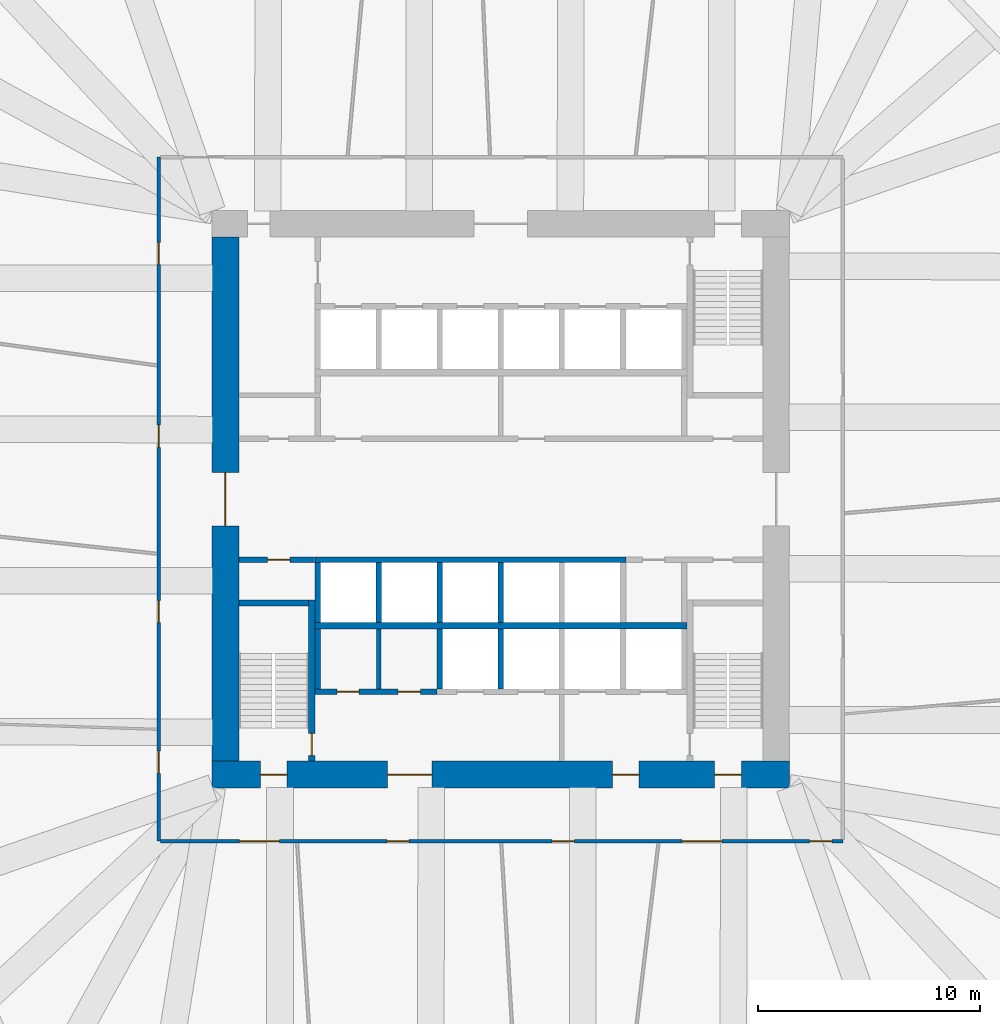
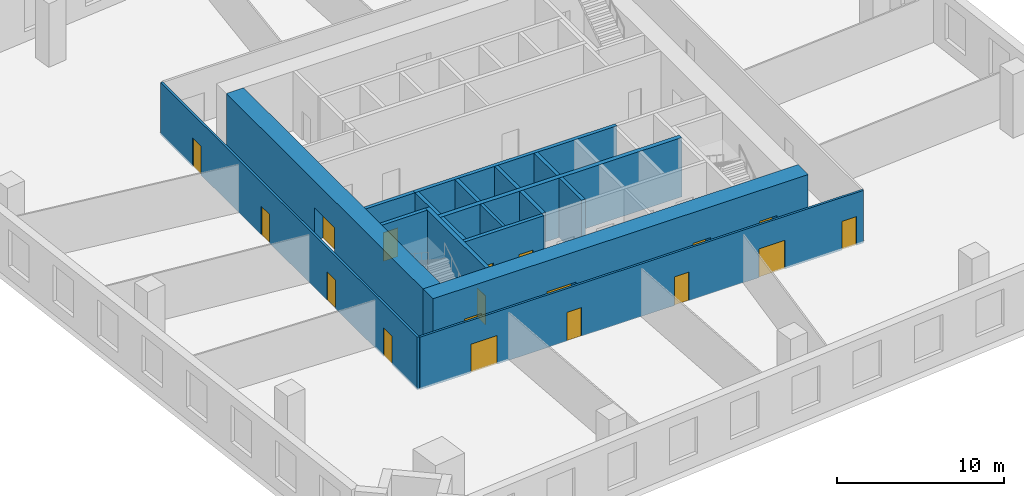
# One storey, part 4 of 10: 18 doors, 18 walls, 18 openings.
"""IFC4 building model written with IfcOpenShell, lengths in metres."""

import ifcopenshell
import ifcopenshell.guid

model = None  # the IFC model being written
_history = None  # IfcOwnerHistory: only IFC2X3 demands one
_inside = {}  # id of a spatial element -> (the spatial element, [elements in it])
_under = {}  # id of a project, library or spatial element -> (it, [spatial elements below it])
_declared = {}  # id of a project -> (the project, [libraries it declares])
_typed = {}  # id of a type object -> (the type object, [elements of that type])
_made_of = {}  # id of a material, layer set ... -> (it, [elements and type objects made of it])


def new_model(schema):
    """Start an empty IFC model of exactly this schema.

    Asked for "IFC4X3", IfcOpenShell would pick the latest addendum, in which some entities
    have other attributes; the version numbers below select the first issue.
    IFC2X3 requires an IfcOwnerHistory on every rooted entity: one is made here for all.
    """
    global model, _history
    if schema == "IFC4X3":
        model = ifcopenshell.file(schema_version=(4, 3, 0, 0))
    else:
        model = ifcopenshell.file(schema=schema)
    _inside.clear()
    _under.clear()
    _declared.clear()
    _typed.clear()
    _made_of.clear()
    _history = None
    if model.schema == "IFC2X3":
        org = make("IfcOrganization", Name="unknown")
        user = make(
            "IfcPersonAndOrganization",
            ThePerson=make("IfcPerson", FamilyName="unknown"),
            TheOrganization=org,
        )
        app = make(
            "IfcApplication",
            ApplicationDeveloper=org,
            Version="unknown",
            ApplicationFullName="unknown",
            ApplicationIdentifier="unknown",
        )
        _history = make(
            "IfcOwnerHistory",
            OwningUser=user,
            OwningApplication=app,
            ChangeAction="ADDED",
            CreationDate=0,
        )
    return model


def make(cls, **values):
    """One entity of the class cls with the attributes given. An attribute that is None is left unset."""
    return model.create_entity(
        cls, **{name: value for name, value in values.items() if value is not None}
    )


def rooted(cls, **values):
    """An entity with a GlobalId (a new one), such as an element, a storey or a relation."""
    return make(cls, GlobalId=ifcopenshell.guid.new(), OwnerHistory=_history, **values)


def si_unit(unit_type, name, prefix=None):
    """IfcSIUnit, for example si_unit("LENGTHUNIT", "METRE", prefix="MILLI")."""
    return make("IfcSIUnit", UnitType=unit_type, Prefix=prefix, Name=name)


def assignment(units):
    """IfcUnitAssignment: the units of a project."""
    return None if units is None else make("IfcUnitAssignment", Units=units)


def point(xyz):
    """IfcCartesianPoint."""
    return None if xyz is None else make("IfcCartesianPoint", Coordinates=xyz)


def direction(xyz):
    """IfcDirection."""
    return None if xyz is None else make("IfcDirection", DirectionRatios=xyz)


def frame(location, z_axis=None, x_axis=None):
    """IfcAxis2Placement3D, a coordinate frame: its origin and axes. An axis left out is left unset."""
    return make(
        "IfcAxis2Placement3D",
        Location=point(location),
        Axis=direction(z_axis),
        RefDirection=direction(x_axis),
    )


def frame_2d(location, x_axis=None):
    """IfcAxis2Placement2D, a coordinate frame in the plane: its origin and x axis."""
    return make(
        "IfcAxis2Placement2D", Location=point(location), RefDirection=direction(x_axis)
    )


def origin():
    """The frame at (0, 0, 0) with its axes left unset."""
    return frame((0.0, 0.0, 0.0))


def place(relative_to, where):
    """IfcLocalPlacement: puts the frame where relative to a parent placement (None: the world)."""
    return make(
        "IfcLocalPlacement", PlacementRelTo=relative_to, RelativePlacement=where
    )


def context(
    kind, dimensions, precision=None, world=None, true_north=None, identifier=None
):
    """IfcGeometricRepresentationContext, for example the 3D "Model" context."""
    return make(
        "IfcGeometricRepresentationContext",
        ContextIdentifier=identifier,
        ContextType=kind,
        CoordinateSpaceDimension=dimensions,
        Precision=precision,
        WorldCoordinateSystem=world,
        TrueNorth=true_north,
    )


def subcontext(parent, identifier, kind, view, scale=None):
    """IfcGeometricRepresentationSubContext, for example "Body" below "Model"."""
    return make(
        "IfcGeometricRepresentationSubContext",
        ContextIdentifier=identifier,
        ContextType=kind,
        ParentContext=parent,
        TargetScale=scale,
        TargetView=view,
    )


def project(units=None, contexts=None):
    """IfcProject with its units and contexts."""
    return rooted(
        "IfcProject",
        Name="project",
        RepresentationContexts=contexts,
        UnitsInContext=assignment(units),
    )


def spatial(cls, under=None, at=None, **own):
    """A site, building, storey or space (cls), placed at a placement, below another one or the project."""
    s = rooted(cls, ObjectPlacement=at, **own)
    if under is not None:
        _under.setdefault(under.id(), (under, []))[1].append(s)
    return s


def profile(cls, at=None, kind="AREA", **sizes):
    """A parametric profile (cls). Its sizes go by their IFC names, for example OverallWidth=200.0."""
    return make(cls, ProfileType=kind, Position=at, **sizes)


def rectangle(**sizes):
    """IfcRectangleProfileDef."""
    return profile("IfcRectangleProfileDef", **sizes)


def extrude(swept, where, along, depth):
    """IfcExtrudedAreaSolid: the profile swept, set in the frame where, extruded along a direction by depth."""
    return make(
        "IfcExtrudedAreaSolid",
        SweptArea=swept,
        Position=where,
        ExtrudedDirection=direction(along),
        Depth=depth,
    )


def shape(context_of_items, identifier, shape_type, items):
    """IfcShapeRepresentation: the items that make up one representation, for example the "Body"."""
    return make(
        "IfcShapeRepresentation",
        ContextOfItems=context_of_items,
        RepresentationIdentifier=identifier,
        RepresentationType=shape_type,
        Items=items,
    )


def material(Name=None, Category=None):
    """IfcMaterial."""
    return make("IfcMaterial", Name=Name, Category=Category)


def layer(
    of_material, thickness, ventilated=None, Name=None, Category=None, Priority=None
):
    """IfcMaterialLayer: one layer of a wall or slab, of a material (None: an air gap)."""
    return make(
        "IfcMaterialLayer",
        Material=of_material,
        LayerThickness=thickness,
        IsVentilated=ventilated,
        Name=Name,
        Category=Category,
        Priority=Priority,
    )


def layer_set(layers, Name=None):
    """IfcMaterialLayerSet."""
    return make("IfcMaterialLayerSet", MaterialLayers=layers, LayerSetName=Name)


def made_of(thing, what):
    """Note that an element or type object is made of a material, layer set ...; save() writes the relation."""
    if what is not None:
        _made_of.setdefault(what.id(), (what, []))[1].append(thing)
    return thing


def type_object(cls, material=None, **own):
    """A type object (cls), such as IfcWallType, which elements share."""
    return made_of(rooted(cls, **own), material)


def element(
    cls,
    number,
    at=None,
    inside=None,
    cuts=None,
    type_object=None,
    material=None,
    context=None,
    identifier="Body",
    shape_type=None,
    held_by="IfcProductDefinitionShape",
    body=None,
    shapes=None,
    **own,
):
    """One element of the class cls, such as IfcWall. Its Tag is "e" and its number.

    at: its placement. inside: the storey or other place that contains it. cuts: it is an
    opening in that element (IfcRelVoidsElement). A single representation is given by context,
    identifier, shape_type and body (its items); several are given by shapes. held_by: the class
    of the entity that holds the representations. save() writes the other relations.
    """
    e = rooted(cls, Tag="e%d" % number, ObjectPlacement=at, **own)
    if body is not None:
        shapes = [shape(context, identifier, shape_type, body)]
    if shapes is not None:
        e.Representation = make(held_by, Representations=shapes)
    if inside is not None:
        _inside.setdefault(inside.id(), (inside, []))[1].append(e)
    if cuts is not None:
        rooted(
            "IfcRelVoidsElement", RelatingBuildingElement=cuts, RelatedOpeningElement=e
        )
    if type_object is not None:
        _typed.setdefault(type_object.id(), (type_object, []))[1].append(e)
    return made_of(e, material)


def fill(opening, filler):
    """IfcRelFillsElement: the door or window that sits in an opening."""
    return rooted(
        "IfcRelFillsElement",
        RelatingOpeningElement=opening,
        RelatedBuildingElement=filler,
    )


def aggregate(whole, parts):
    """IfcRelAggregates: a whole, such as a stair, and the parts it consists of."""
    return rooted("IfcRelAggregates", RelatingObject=whole, RelatedObjects=parts)


def save(model, path):
    """Write the relations noted so far, then the file.

    IfcRelAggregates (storeys below a building ...), IfcRelContainedInSpatialStructure (elements
    in a storey), IfcRelDefinesByType, IfcRelAssociatesMaterial and IfcRelDeclares: one each for
    every whole, place, type object, material and project.
    """
    for whole, parts in _under.values():
        aggregate(whole, parts)
    for where, things in _inside.values():
        rooted(
            "IfcRelContainedInSpatialStructure",
            RelatedElements=things,
            RelatingStructure=where,
        )
    for kind, things in _typed.values():
        rooted("IfcRelDefinesByType", RelatedObjects=things, RelatingType=kind)
    for what, things in _made_of.values():
        rooted("IfcRelAssociatesMaterial", RelatedObjects=things, RelatingMaterial=what)
    for by, libraries in _declared.values():
        rooted("IfcRelDeclares", RelatingContext=by, RelatedDefinitions=libraries)
    model.write(path)


model = new_model("IFC4")

# Units and contexts
model_context = context("Model", 3, precision=1e-05, world=origin(), true_north=direction((0.0, 1.0)))
body_context = subcontext(model_context, "Body", "Model", "MODEL_VIEW")
ifc_project = project(units=[si_unit("LENGTHUNIT", "METRE"), si_unit("AREAUNIT", "SQUARE_METRE"), si_unit("VOLUMEUNIT", "CUBIC_METRE"), si_unit("PLANEANGLEUNIT", "RADIAN"), si_unit("MASSUNIT", "GRAM", prefix="KILO")], contexts=[model_context])

# Site, building, storey
site_placement = place(None, origin())
site = spatial("IfcSite", under=ifc_project, at=site_placement, CompositionType="ELEMENT")
building_placement = place(site_placement, origin())
building = spatial("IfcBuilding", under=site, at=building_placement, Name="Dilmun Exchange Tower", CompositionType="ELEMENT")
storey_placement = place(building_placement, frame((0.0, 0.0, 41.699951171875)))
storey = spatial("IfcBuildingStorey", under=building, at=storey_placement, Name="L09", CompositionType="ELEMENT", Elevation=41.699951171875)

# Wall
ifc_material_1 = material(Name="Concrete C40/50", Category="concrete")
ifc_layer_1 = layer(ifc_material_1, 0.199951171875)
ifc_layer_set_1 = layer_set([ifc_layer_1], Name="Concrete C40/50")
wall_type_1 = type_object("IfcWallType", Name="Core partition wall 200", PredefinedType="PARTITIONING", material=ifc_layer_set_1)
wall_1_placement = place(storey_placement, frame((-5.5, -8.544921875, 0.0), z_axis=(0.0, 0.0, 1.0), x_axis=(0.0, 1.0, 0.0)))
element("IfcWall", 1, at=wall_1_placement, inside=storey, type_object=wall_type_1, Name="L09 core partition wall 04", PredefinedType="PARTITIONING", context=body_context, shape_type="SweptSolid", body=[
    extrude(rectangle(XDim=2.68994140625, YDim=0.199951171875, at=frame_2d((1.344970703125, 0.0))), origin(), (0.0, 0.0, 1.0), 4.35009765625),
])

# Wall, openings, doors
ifc_layer_2 = layer(ifc_material_1, 0.25)
ifc_layer_set_2 = layer_set([ifc_layer_2], Name="Concrete C40/50")
wall_type_2 = type_object("IfcWallType", Name="Core partition wall 250", PredefinedType="PARTITIONING", material=ifc_layer_set_2)
wall_2_placement = place(storey_placement, frame((-8.3701171875, -8.675048828125, 0.0), z_axis=(0.0, 0.0, 1.0), x_axis=(1.0, 0.0, 0.0)))
wall_2 = element("IfcWall", 2, at=wall_2_placement, inside=storey, type_object=wall_type_2, Name="L09 core partition wall 02", PredefinedType="PARTITIONING", context=body_context, shape_type="SweptSolid", body=[
    extrude(rectangle(XDim=5.490234375, YDim=0.25, at=frame_2d((2.7451171875, 0.0))), origin(), (0.0, 0.0, 1.0), 4.35009765625),
])
opening_1_placement = place(wall_2_placement, frame((0.9951171875, 0.0, 0.0)))
opening_1 = element("IfcOpeningElement", 3, at=opening_1_placement, cuts=wall_2, Name="Opening CD4", PredefinedType="OPENING", context=body_context, shape_type="SweptSolid", body=[
    extrude(rectangle(XDim=1.0, YDim=2.10009765625, at=frame_2d((0.5, 1.050048828125))), frame((0.0, 0.135009765625, 0.0), z_axis=(0.0, -1.0, 0.0), x_axis=(1.0, 0.0, 0.0)), (0.0, 0.0, 1.0), 0.27001953125),
])
opening_2_placement = place(wall_2_placement, frame((3.7451171875, 0.0, 0.0)))
opening_2 = element("IfcOpeningElement", 4, at=opening_2_placement, cuts=wall_2, Name="Opening CD4", PredefinedType="OPENING", context=body_context, shape_type="SweptSolid", body=[
    extrude(rectangle(XDim=1.0, YDim=2.10009765625, at=frame_2d((0.5, 1.050048828125))), frame((0.0, 0.135009765625, 0.0), z_axis=(0.0, -1.0, 0.0), x_axis=(1.0, 0.0, 0.0)), (0.0, 0.0, 1.0), 0.27001953125),
])
ifc_material_2 = material(Name="Fire-rated steel door set", Category="steel")
door_type_1 = type_object("IfcDoorType", Name="Core room door 1000x2100", OperationType="SINGLE_SWING_LEFT", PredefinedType="DOOR", material=ifc_material_2)
door_1_placement = place(opening_1_placement, origin())
door_1 = element("IfcDoor", 5, at=door_1_placement, inside=storey, type_object=door_type_1, Name="L09 door Male WC", OperationType="SINGLE_SWING_RIGHT", OverallHeight=2.10009765625, OverallWidth=1.0, PredefinedType="DOOR", context=body_context, shape_type="SweptSolid", body=[
    extrude(rectangle(XDim=1.0, YDim=2.10009765625, at=frame_2d((0.5, 1.050048828125))), frame((0.0, 0.02490234375, 0.0), z_axis=(0.0, -1.0, 0.0), x_axis=(1.0, 0.0, 0.0)), (0.0, 0.0, 1.0), 0.050048828125),
])
fill(opening_1, door_1)
door_2_placement = place(opening_2_placement, origin())
door_2 = element("IfcDoor", 6, at=door_2_placement, inside=storey, type_object=door_type_1, Name="L09 door Female WC", OperationType="SINGLE_SWING_RIGHT", OverallHeight=2.10009765625, OverallWidth=1.0, PredefinedType="DOOR", context=body_context, shape_type="SweptSolid", body=[
    extrude(rectangle(XDim=1.0, YDim=2.10009765625, at=frame_2d((0.5, 1.050048828125))), frame((0.0, 0.02490234375, 0.0), z_axis=(0.0, -1.0, 0.0), x_axis=(1.0, 0.0, 0.0)), (0.0, 0.0, 1.0), 0.050048828125),
])
fill(opening_2, door_2)

# Wall
wall_3_placement = place(storey_placement, frame((-8.25, -8.544921875, 0.0), z_axis=(0.0, 0.0, 1.0), x_axis=(0.0, 1.0, 0.0)))
element("IfcWall", 7, at=wall_3_placement, inside=storey, type_object=wall_type_2, Name="L09 core partition wall 03", PredefinedType="PARTITIONING", context=body_context, shape_type="SweptSolid", body=[
    extrude(rectangle(XDim=2.68994140625, YDim=0.25, at=frame_2d((1.344970703125, 0.0))), origin(), (0.0, 0.0, 1.0), 4.35009765625),
])

# Wall, opening, door
wall_4_placement = place(storey_placement, frame((-11.794921875, -2.72509765625, 0.0), z_axis=(0.0, 0.0, 1.0), x_axis=(1.0, 0.0, 0.0)))
wall_4 = element("IfcWall", 8, at=wall_4_placement, inside=storey, type_object=wall_type_2, Name="L09 core partition wall 06", PredefinedType="PARTITIONING", context=body_context, shape_type="SweptSolid", body=[
    extrude(rectangle(XDim=3.4150390625, YDim=0.25, at=frame_2d((1.70751953125, 0.0))), origin(), (0.0, 0.0, 1.0), 4.35009765625),
])
opening_3_placement = place(wall_4_placement, frame((1.294921875, 0.0, 0.0)))
opening_3 = element("IfcOpeningElement", 9, at=opening_3_placement, cuts=wall_4, Name="Opening CD4", PredefinedType="OPENING", context=body_context, shape_type="SweptSolid", body=[
    extrude(rectangle(XDim=1.0, YDim=2.10009765625, at=frame_2d((0.5, 1.050048828125))), frame((0.0, 0.135009765625, 0.0), z_axis=(0.0, -1.0, 0.0), x_axis=(1.0, 0.0, 0.0)), (0.0, 0.0, 1.0), 0.27001953125),
])
door_3_placement = place(opening_3_placement, origin())
door_3 = element("IfcDoor", 10, at=door_3_placement, inside=storey, type_object=door_type_1, Name="L09 door Accessible WC", OperationType="SINGLE_SWING_RIGHT", OverallHeight=2.10009765625, OverallWidth=1.0, PredefinedType="DOOR", context=body_context, shape_type="SweptSolid", body=[
    extrude(rectangle(XDim=1.0, YDim=2.10009765625, at=frame_2d((0.5, 1.050048828125))), frame((0.0, 0.02490234375, 0.0), z_axis=(0.0, -1.0, 0.0), x_axis=(1.0, 0.0, 0.0)), (0.0, 0.0, 1.0), 0.050048828125),
])
fill(opening_3, door_3)

# Wall, openings, doors
ifc_material_3 = material(Name="Concrete C80/95", Category="concrete")
ifc_layer_3 = layer(ifc_material_3, 1.199951171875)
ifc_layer_set_3 = layer_set([ifc_layer_3], Name="Concrete C80/95")
wall_type_3 = type_object("IfcWallType", Name="Core shear wall 1200 Concrete C80/95", PredefinedType="SHEAR", material=ifc_layer_set_3)
wall_5_placement = place(storey_placement, frame((-13.0, -12.39990234375, 0.0), z_axis=(0.0, 0.0, 1.0), x_axis=(1.0, 0.0, 0.0)))
wall_5 = element("IfcWall", 11, at=wall_5_placement, inside=storey, type_object=wall_type_3, Name="L09 core shear wall S", PredefinedType="SHEAR", context=body_context, shape_type="SweptSolid", body=[
    extrude(rectangle(XDim=26.0, YDim=1.199951171875, at=frame_2d((13.0, 0.0))), origin(), (0.0, 0.0, 1.0), 4.35009765625),
])
opening_4_placement = place(wall_5_placement, frame((7.89990234375, 0.0, 0.0)))
opening_4 = element("IfcOpeningElement", 12, at=opening_4_placement, cuts=wall_5, Name="Opening CD2", PredefinedType="OPENING", context=body_context, shape_type="SweptSolid", body=[
    extrude(rectangle(XDim=2.0, YDim=2.10009765625, at=frame_2d((1.0, 1.050048828125))), frame((0.0, 0.60986328125, 0.0), z_axis=(0.0, -1.0, 0.0), x_axis=(1.0, 0.0, 0.0)), (0.0, 0.0, 1.0), 1.219970703125),
])
opening_5_placement = place(wall_5_placement, frame((18.02490234375, 0.0, 0.0)))
opening_5 = element("IfcOpeningElement", 13, at=opening_5_placement, cuts=wall_5, Name="Opening CD3", PredefinedType="OPENING", context=body_context, shape_type="SweptSolid", body=[
    extrude(rectangle(XDim=1.199951171875, YDim=2.10009765625, at=frame_2d((0.60009765625, 1.050048828125))), frame((0.0, 0.60986328125, 0.0), z_axis=(0.0, -1.0, 0.0), x_axis=(1.0, 0.0, 0.0)), (0.0, 0.0, 1.0), 1.219970703125),
])
opening_6_placement = place(wall_5_placement, frame((2.175048828125, 0.0, 0.0)))
opening_6 = element("IfcOpeningElement", 14, at=opening_6_placement, cuts=wall_5, Name="Opening CD3", PredefinedType="OPENING", context=body_context, shape_type="SweptSolid", body=[
    extrude(rectangle(XDim=1.199951171875, YDim=2.10009765625, at=frame_2d((0.60009765625, 1.050048828125))), frame((0.0, 0.60986328125, 0.0), z_axis=(0.0, -1.0, 0.0), x_axis=(1.0, 0.0, 0.0)), (0.0, 0.0, 1.0), 1.219970703125),
])
opening_7_placement = place(wall_5_placement, frame((22.625, 0.0, 0.0)))
opening_7 = element("IfcOpeningElement", 15, at=opening_7_placement, cuts=wall_5, Name="Opening CD3", PredefinedType="OPENING", context=body_context, shape_type="SweptSolid", body=[
    extrude(rectangle(XDim=1.199951171875, YDim=2.10009765625, at=frame_2d((0.60009765625, 1.050048828125))), frame((0.0, 0.60986328125, 0.0), z_axis=(0.0, -1.0, 0.0), x_axis=(1.0, 0.0, 0.0)), (0.0, 0.0, 1.0), 1.219970703125),
])
door_type_2 = type_object("IfcDoorType", Name="Core service door 2000x2100", OperationType="DOUBLE_DOOR_DOUBLE_SWING", PredefinedType="DOOR", material=ifc_material_2)
door_4_placement = place(opening_4_placement, origin())
door_4 = element("IfcDoor", 16, at=door_4_placement, inside=storey, type_object=door_type_2, Name="L09 door South service lobby", OperationType="SINGLE_SWING_LEFT", OverallHeight=2.10009765625, OverallWidth=2.0, PredefinedType="DOOR", context=body_context, shape_type="SweptSolid", body=[
    extrude(rectangle(XDim=2.0, YDim=2.10009765625, at=frame_2d((1.0, 1.050048828125))), frame((0.0, 0.02490234375, 0.0), z_axis=(0.0, -1.0, 0.0), x_axis=(1.0, 0.0, 0.0)), (0.0, 0.0, 1.0), 0.050048828125),
])
fill(opening_4, door_4)
door_type_3 = type_object("IfcDoorType", Name="Stair exit door 1200x2100", OperationType="SINGLE_SWING_LEFT", PredefinedType="DOOR", material=ifc_material_2)
door_5_placement = place(opening_5_placement, origin())
door_5 = element("IfcDoor", 17, at=door_5_placement, inside=storey, type_object=door_type_3, Name="L09 door Fire-fighting lobby", OperationType="SINGLE_SWING_LEFT", OverallHeight=2.10009765625, OverallWidth=1.199951171875, PredefinedType="DOOR", context=body_context, shape_type="SweptSolid", body=[
    extrude(rectangle(XDim=1.199951171875, YDim=2.10009765625, at=frame_2d((0.60009765625, 1.050048828125))), frame((0.0, 0.02490234375, 0.0), z_axis=(0.0, -1.0, 0.0), x_axis=(1.0, 0.0, 0.0)), (0.0, 0.0, 1.0), 0.050048828125),
])
fill(opening_5, door_5)
door_6_placement = place(opening_6_placement, origin())
door_6 = element("IfcDoor", 18, at=door_6_placement, inside=storey, type_object=door_type_3, Name="L09 door Stair ST2", OperationType="SINGLE_SWING_LEFT", OverallHeight=2.10009765625, OverallWidth=1.199951171875, PredefinedType="DOOR", context=body_context, shape_type="SweptSolid", body=[
    extrude(rectangle(XDim=1.199951171875, YDim=2.10009765625, at=frame_2d((0.60009765625, 1.050048828125))), frame((0.0, 0.02490234375, 0.0), z_axis=(0.0, -1.0, 0.0), x_axis=(1.0, 0.0, 0.0)), (0.0, 0.0, 1.0), 0.050048828125),
])
fill(opening_6, door_6)
door_7_placement = place(opening_7_placement, origin())
door_7 = element("IfcDoor", 19, at=door_7_placement, inside=storey, type_object=door_type_3, Name="L09 door Stair ST3", OperationType="SINGLE_SWING_LEFT", OverallHeight=2.10009765625, OverallWidth=1.199951171875, PredefinedType="DOOR", context=body_context, shape_type="SweptSolid", body=[
    extrude(rectangle(XDim=1.199951171875, YDim=2.10009765625, at=frame_2d((0.60009765625, 1.050048828125))), frame((0.0, 0.02490234375, 0.0), z_axis=(0.0, -1.0, 0.0), x_axis=(1.0, 0.0, 0.0)), (0.0, 0.0, 1.0), 0.050048828125),
])
fill(opening_7, door_7)

# Wall, opening, door
wall_6_placement = place(storey_placement, frame((-12.39990234375, -11.800048828125, 0.0), z_axis=(0.0, 0.0, 1.0), x_axis=(0.0, 1.0, 0.0)))
wall_6 = element("IfcWall", 20, at=wall_6_placement, inside=storey, type_object=wall_type_3, Name="L09 core shear wall W", PredefinedType="SHEAR", context=body_context, shape_type="SweptSolid", body=[
    extrude(rectangle(XDim=23.60009765625, YDim=1.199951171875, at=frame_2d((11.800048828125, 0.0))), origin(), (0.0, 0.0, 1.0), 4.35009765625),
])
opening_8_placement = place(wall_6_placement, frame((10.60009765625, 0.0, 0.0)))
opening_8 = element("IfcOpeningElement", 21, at=opening_8_placement, cuts=wall_6, Name="Opening CD1", PredefinedType="OPENING", context=body_context, shape_type="SweptSolid", body=[
    extrude(rectangle(XDim=2.39990234375, YDim=2.39990234375, at=frame_2d((1.199951171875, 1.199951171875))), frame((0.0, 0.60986328125, 0.0), z_axis=(0.0, -1.0, 0.0), x_axis=(1.0, 0.0, 0.0)), (0.0, 0.0, 1.0), 1.219970703125),
])
door_type_4 = type_object("IfcDoorType", Name="Core lobby door 2400x2400", OperationType="DOUBLE_DOOR_DOUBLE_SWING", PredefinedType="DOOR", material=ifc_material_2)
door_8_placement = place(opening_8_placement, origin())
door_8 = element("IfcDoor", 22, at=door_8_placement, inside=storey, type_object=door_type_4, Name="L09 door Central lift lobby", OperationType="SINGLE_SWING_LEFT", OverallHeight=2.39990234375, OverallWidth=2.39990234375, PredefinedType="DOOR", context=body_context, shape_type="SweptSolid", body=[
    extrude(rectangle(XDim=2.39990234375, YDim=2.39990234375, at=frame_2d((1.199951171875, 1.199951171875))), frame((0.0, 0.02490234375, 0.0), z_axis=(0.0, -1.0, 0.0), x_axis=(1.0, 0.0, 0.0)), (0.0, 0.0, 1.0), 0.050048828125),
])
fill(opening_8, door_8)

# Wall, openings, doors
ifc_material_4 = material(Name="Corridor wall 150")
ifc_layer_4 = layer(ifc_material_4, 0.14990234375)
ifc_layer_set_4 = layer_set([ifc_layer_4], Name="Corridor wall 150")
wall_type_4 = type_object("IfcWallType", Name="Corridor wall 150", PredefinedType="PARTITIONING", material=ifc_layer_set_4)
wall_7_placement = place(storey_placement, frame((-15.39990234375, -15.39990234375, 0.0), z_axis=(0.0, 0.0, 1.0), x_axis=(0.0, 1.0, 0.0)))
wall_7 = element("IfcWall", 23, at=wall_7_placement, inside=storey, type_object=wall_type_4, Name="Corridor wall", PredefinedType="PARTITIONING", context=body_context, shape_type="SweptSolid", body=[
    extrude(rectangle(XDim=30.7998046875, YDim=0.14990234375, at=frame_2d((15.39990234375, 0.0))), origin(), (0.0, 0.0, 1.0), 3.85009765625),
])
opening_9_placement = place(wall_7_placement, frame((17.7353515625, 0.0, 0.0)))
opening_9 = element("IfcOpeningElement", 24, at=opening_9_placement, cuts=wall_7, Name="Opening TF08-D01", PredefinedType="OPENING", context=body_context, shape_type="SweptSolid", body=[
    extrude(rectangle(XDim=1.0, YDim=2.10009765625, at=frame_2d((0.5, 1.050048828125))), frame((0.0, 0.0849609375, 0.0), z_axis=(0.0, -1.0, 0.0), x_axis=(1.0, 0.0, 0.0)), (0.0, 0.0, 1.0), 0.169921875),
])
opening_10_placement = place(wall_7_placement, frame((9.8359375, 0.0, 0.0)))
opening_10 = element("IfcOpeningElement", 25, at=opening_10_placement, cuts=wall_7, Name="Opening TF08-D02", PredefinedType="OPENING", context=body_context, shape_type="SweptSolid", body=[
    extrude(rectangle(XDim=1.0, YDim=2.10009765625, at=frame_2d((0.5, 1.050048828125))), frame((0.0, 0.0849609375, 0.0), z_axis=(0.0, -1.0, 0.0), x_axis=(1.0, 0.0, 0.0)), (0.0, 0.0, 1.0), 0.169921875),
])
opening_11_placement = place(wall_7_placement, frame((25.960205078125, 0.0, 0.0)))
opening_11 = element("IfcOpeningElement", 26, at=opening_11_placement, cuts=wall_7, Name="Opening TF08-D04", PredefinedType="OPENING", context=body_context, shape_type="SweptSolid", body=[
    extrude(rectangle(XDim=1.0, YDim=2.10009765625, at=frame_2d((0.5, 1.050048828125))), frame((0.0, 0.0849609375, 0.0), z_axis=(0.0, -1.0, 0.0), x_axis=(1.0, 0.0, 0.0)), (0.0, 0.0, 1.0), 0.169921875),
])
opening_12_placement = place(wall_7_placement, frame((3.050048828125, 0.0, 0.0)))
opening_12 = element("IfcOpeningElement", 27, at=opening_12_placement, cuts=wall_7, Name="Opening TF08-D06", PredefinedType="OPENING", context=body_context, shape_type="SweptSolid", body=[
    extrude(rectangle(XDim=1.0, YDim=2.10009765625, at=frame_2d((0.5, 1.050048828125))), frame((0.0, 0.0849609375, 0.0), z_axis=(0.0, -1.0, 0.0), x_axis=(1.0, 0.0, 0.0)), (0.0, 0.0, 1.0), 0.169921875),
])
ifc_material_5 = material(Name="Fire door 1000 x 2100")
door_type_5 = type_object("IfcDoorType", Name="Fire door 1000 x 2100", OperationType="NOTDEFINED", PredefinedType="DOOR", material=ifc_material_5)
door_9_placement = place(opening_9_placement, origin())
door_9 = element("IfcDoor", 28, at=door_9_placement, inside=storey, type_object=door_type_5, Name="Door TF08-D01", OperationType="SINGLE_SWING_LEFT", OverallHeight=2.10009765625, OverallWidth=1.0, PredefinedType="DOOR", context=body_context, shape_type="SweptSolid", body=[
    extrude(rectangle(XDim=1.0, YDim=2.10009765625, at=frame_2d((0.5, 1.050048828125))), frame((0.0, 0.02490234375, 0.0), z_axis=(0.0, -1.0, 0.0), x_axis=(1.0, 0.0, 0.0)), (0.0, 0.0, 1.0), 0.050048828125),
])
fill(opening_9, door_9)
door_10_placement = place(opening_10_placement, origin())
door_10 = element("IfcDoor", 29, at=door_10_placement, inside=storey, type_object=door_type_5, Name="Door TF08-D02", OperationType="SINGLE_SWING_RIGHT", OverallHeight=2.10009765625, OverallWidth=1.0, PredefinedType="DOOR", context=body_context, shape_type="SweptSolid", body=[
    extrude(rectangle(XDim=1.0, YDim=2.10009765625, at=frame_2d((0.5, 1.050048828125))), frame((0.0, 0.02490234375, 0.0), z_axis=(0.0, -1.0, 0.0), x_axis=(1.0, 0.0, 0.0)), (0.0, 0.0, 1.0), 0.050048828125),
])
fill(opening_10, door_10)
door_11_placement = place(opening_11_placement, origin())
door_11 = element("IfcDoor", 30, at=door_11_placement, inside=storey, type_object=door_type_5, Name="Door TF08-D04", OperationType="SINGLE_SWING_LEFT", OverallHeight=2.10009765625, OverallWidth=1.0, PredefinedType="DOOR", context=body_context, shape_type="SweptSolid", body=[
    extrude(rectangle(XDim=1.0, YDim=2.10009765625, at=frame_2d((0.5, 1.050048828125))), frame((0.0, 0.02490234375, 0.0), z_axis=(0.0, -1.0, 0.0), x_axis=(1.0, 0.0, 0.0)), (0.0, 0.0, 1.0), 0.050048828125),
])
fill(opening_11, door_11)
door_12_placement = place(opening_12_placement, origin())
door_12 = element("IfcDoor", 31, at=door_12_placement, inside=storey, type_object=door_type_5, Name="Door TF08-D06", OperationType="SINGLE_SWING_LEFT", OverallHeight=2.10009765625, OverallWidth=1.0, PredefinedType="DOOR", context=body_context, shape_type="SweptSolid", body=[
    extrude(rectangle(XDim=1.0, YDim=2.10009765625, at=frame_2d((0.5, 1.050048828125))), frame((0.0, 0.02490234375, 0.0), z_axis=(0.0, -1.0, 0.0), x_axis=(1.0, 0.0, 0.0)), (0.0, 0.0, 1.0), 0.050048828125),
])
fill(opening_12, door_12)

wall_8_placement = place(storey_placement, frame((-15.324951171875, -15.39990234375, 0.0), z_axis=(0.0, 0.0, 1.0), x_axis=(1.0, 0.0, 0.0)))
wall_8 = element("IfcWall", 32, at=wall_8_placement, inside=storey, type_object=wall_type_4, Name="Corridor wall", PredefinedType="PARTITIONING", context=body_context, shape_type="SweptSolid", body=[
    extrude(rectangle(XDim=30.724853515625, YDim=0.14990234375, at=frame_2d((15.3623046875, 0.0))), origin(), (0.0, 0.0, 1.0), 3.85009765625),
])
opening_13_placement = place(wall_8_placement, frame((3.550048828125, 0.0, 0.0)))
opening_13 = element("IfcOpeningElement", 33, at=opening_13_placement, cuts=wall_8, Name="Opening TF08-D05", PredefinedType="OPENING", context=body_context, shape_type="SweptSolid", body=[
    extrude(rectangle(XDim=1.800048828125, YDim=2.10009765625, at=frame_2d((0.89990234375, 1.050048828125))), frame((0.0, 0.0849609375, 0.0), z_axis=(0.0, -1.0, 0.0), x_axis=(1.0, 0.0, 0.0)), (0.0, 0.0, 1.0), 0.169921875),
])
opening_14_placement = place(wall_8_placement, frame((10.196044921875, 0.0, 0.0)))
opening_14 = element("IfcOpeningElement", 34, at=opening_14_placement, cuts=wall_8, Name="Opening TF08-D07", PredefinedType="OPENING", context=body_context, shape_type="SweptSolid", body=[
    extrude(rectangle(XDim=1.0, YDim=2.10009765625, at=frame_2d((0.5, 1.050048828125))), frame((0.0, 0.0849609375, 0.0), z_axis=(0.0, -1.0, 0.0), x_axis=(1.0, 0.0, 0.0)), (0.0, 0.0, 1.0), 0.169921875),
])
opening_15_placement = place(wall_8_placement, frame((17.638427734375, 0.0, 0.0)))
opening_15 = element("IfcOpeningElement", 35, at=opening_15_placement, cuts=wall_8, Name="Opening TF08-D10", PredefinedType="OPENING", context=body_context, shape_type="SweptSolid", body=[
    extrude(rectangle(XDim=1.0, YDim=2.10009765625, at=frame_2d((0.5, 1.050048828125))), frame((0.0, 0.0849609375, 0.0), z_axis=(0.0, -1.0, 0.0), x_axis=(1.0, 0.0, 0.0)), (0.0, 0.0, 1.0), 0.169921875),
])
opening_16_placement = place(wall_8_placement, frame((23.4775390625, 0.0, 0.0)))
opening_16 = element("IfcOpeningElement", 36, at=opening_16_placement, cuts=wall_8, Name="Opening TF08-D13", PredefinedType="OPENING", context=body_context, shape_type="SweptSolid", body=[
    extrude(rectangle(XDim=1.800048828125, YDim=2.10009765625, at=frame_2d((0.89990234375, 1.050048828125))), frame((0.0, 0.0849609375, 0.0), z_axis=(0.0, -1.0, 0.0), x_axis=(1.0, 0.0, 0.0)), (0.0, 0.0, 1.0), 0.169921875),
])
opening_17_placement = place(wall_8_placement, frame((29.2275390625, 0.0, 0.0)))
opening_17 = element("IfcOpeningElement", 37, at=opening_17_placement, cuts=wall_8, Name="Opening TF08-D14", PredefinedType="OPENING", context=body_context, shape_type="SweptSolid", body=[
    extrude(rectangle(XDim=1.0, YDim=2.10009765625, at=frame_2d((0.5, 1.050048828125))), frame((0.0, 0.0849609375, 0.0), z_axis=(0.0, -1.0, 0.0), x_axis=(1.0, 0.0, 0.0)), (0.0, 0.0, 1.0), 0.169921875),
])
door_13_placement = place(opening_14_placement, frame((1.0, 0.0, 0.0), z_axis=(0.0, 0.0, 1.0), x_axis=(-1.0, 0.0, 0.0)))
door_13 = element("IfcDoor", 38, at=door_13_placement, inside=storey, type_object=door_type_5, Name="Door TF08-D07", OperationType="SINGLE_SWING_RIGHT", OverallHeight=2.10009765625, OverallWidth=1.0, PredefinedType="DOOR", context=body_context, shape_type="SweptSolid", body=[
    extrude(rectangle(XDim=1.0, YDim=2.10009765625, at=frame_2d((0.5, 1.050048828125))), frame((0.0, 0.02490234375, 0.0), z_axis=(0.0, -1.0, 0.0), x_axis=(1.0, 0.0, 0.0)), (0.0, 0.0, 1.0), 0.050048828125),
])
fill(opening_14, door_13)
door_14_placement = place(opening_15_placement, frame((1.0, 0.0, 0.0), z_axis=(0.0, 0.0, 1.0), x_axis=(-1.0, 0.0, 0.0)))
door_14 = element("IfcDoor", 39, at=door_14_placement, inside=storey, type_object=door_type_5, Name="Door TF08-D10", OperationType="SINGLE_SWING_RIGHT", OverallHeight=2.10009765625, OverallWidth=1.0, PredefinedType="DOOR", context=body_context, shape_type="SweptSolid", body=[
    extrude(rectangle(XDim=1.0, YDim=2.10009765625, at=frame_2d((0.5, 1.050048828125))), frame((0.0, 0.02490234375, 0.0), z_axis=(0.0, -1.0, 0.0), x_axis=(1.0, 0.0, 0.0)), (0.0, 0.0, 1.0), 0.050048828125),
])
fill(opening_15, door_14)
door_15_placement = place(opening_17_placement, frame((1.0, 0.0, 0.0), z_axis=(0.0, 0.0, 1.0), x_axis=(-1.0, 0.0, 0.0)))
door_15 = element("IfcDoor", 40, at=door_15_placement, inside=storey, type_object=door_type_5, Name="Door TF08-D14", OperationType="SINGLE_SWING_LEFT", OverallHeight=2.10009765625, OverallWidth=1.0, PredefinedType="DOOR", context=body_context, shape_type="SweptSolid", body=[
    extrude(rectangle(XDim=1.0, YDim=2.10009765625, at=frame_2d((0.5, 1.050048828125))), frame((0.0, 0.02490234375, 0.0), z_axis=(0.0, -1.0, 0.0), x_axis=(1.0, 0.0, 0.0)), (0.0, 0.0, 1.0), 0.050048828125),
])
fill(opening_17, door_15)
ifc_material_6 = material(Name="Fire door pair 1800 x 2100")
door_type_6 = type_object("IfcDoorType", Name="Fire door pair 1800 x 2100", OperationType="NOTDEFINED", PredefinedType="DOOR", material=ifc_material_6)
door_16_placement = place(opening_13_placement, frame((1.800048828125, 0.0, 0.0), z_axis=(0.0, 0.0, 1.0), x_axis=(-1.0, 0.0, 0.0)))
door_16 = element("IfcDoor", 41, at=door_16_placement, inside=storey, type_object=door_type_6, Name="Door TF08-D05", OperationType="DOUBLE_DOOR_SINGLE_SWING", OverallHeight=2.10009765625, OverallWidth=1.800048828125, PredefinedType="DOOR", context=body_context, shape_type="SweptSolid", body=[
    extrude(rectangle(XDim=1.800048828125, YDim=2.10009765625, at=frame_2d((0.89990234375, 1.050048828125))), frame((0.0, 0.02490234375, 0.0), z_axis=(0.0, -1.0, 0.0), x_axis=(1.0, 0.0, 0.0)), (0.0, 0.0, 1.0), 0.050048828125),
])
fill(opening_13, door_16)
door_17_placement = place(opening_16_placement, frame((1.800048828125, 0.0, 0.0), z_axis=(0.0, 0.0, 1.0), x_axis=(-1.0, 0.0, 0.0)))
door_17 = element("IfcDoor", 42, at=door_17_placement, inside=storey, type_object=door_type_6, Name="Door TF08-D13", OperationType="DOUBLE_DOOR_SINGLE_SWING", OverallHeight=2.10009765625, OverallWidth=1.800048828125, PredefinedType="DOOR", context=body_context, shape_type="SweptSolid", body=[
    extrude(rectangle(XDim=1.800048828125, YDim=2.10009765625, at=frame_2d((0.89990234375, 1.050048828125))), frame((0.0, 0.02490234375, 0.0), z_axis=(0.0, -1.0, 0.0), x_axis=(1.0, 0.0, 0.0)), (0.0, 0.0, 1.0), 0.050048828125),
])
fill(opening_16, door_17)

# Walls
ifc_layer_5 = layer(ifc_material_1, 0.300048828125)
ifc_layer_set_5 = layer_set([ifc_layer_5], Name="Concrete C40/50")
wall_type_5 = type_object("IfcWallType", Name="Lift shaft shared wall 300", PredefinedType="SOLIDWALL", material=ifc_layer_set_5)
wall_9_placement = place(storey_placement, frame((-8.375, -5.699951171875, 0.0), z_axis=(0.0, 0.0, 1.0), x_axis=(1.0, 0.0, 0.0)))
element("IfcWall", 43, at=wall_9_placement, inside=storey, type_object=wall_type_5, Name="L09 lift shaft rear wall S", PredefinedType="SOLIDWALL", context=body_context, shape_type="SweptSolid", body=[
    extrude(rectangle(XDim=16.75, YDim=0.300048828125, at=frame_2d((8.375, 0.0))), origin(), (0.0, 0.0, 1.0), 4.35009765625),
])
ifc_layer_6 = layer(ifc_material_1, 0.25)
ifc_layer_set_6 = layer_set([ifc_layer_6], Name="Concrete C40/50")
wall_type_6 = type_object("IfcWallType", Name="Lift shaft wall 250", PredefinedType="SOLIDWALL", material=ifc_layer_set_6)
wall_10_placement = place(storey_placement, frame((-8.375, -2.72509765625, 0.0), z_axis=(0.0, 0.0, 1.0), x_axis=(1.0, 0.0, 0.0)))
element("IfcWall", 44, at=wall_10_placement, inside=storey, type_object=wall_type_6, Name="L09 lift shaft front wall S1", PredefinedType="SOLIDWALL", context=body_context, shape_type="SweptSolid", body=[
    extrude(rectangle(XDim=14.0, YDim=0.25, at=frame_2d((7.0, 0.0))), origin(), (0.0, 0.0, 1.0), 4.35009765625),
])
for number, where, z_axis, x_axis, name in (
    (45, (-8.25, -5.550048828125, 0.0), (0.0, 0.0, 1.0), (0.0, 1.0, 0.0), "L09 lift shaft divider S10"),
    (46, (-5.5, -5.550048828125, 0.0), (0.0, 0.0, 1.0), (0.0, 1.0, 0.0), "L09 lift shaft divider S11"),
    (47, (-2.75, -5.550048828125, 0.0), (0.0, 0.0, 1.0), (0.0, 1.0, 0.0), "L09 lift shaft divider S12"),
    (48, (0.0, -5.550048828125, 0.0), (0.0, 0.0, 1.0), (0.0, 1.0, 0.0), "L09 lift shaft divider S13"),
    (49, (-2.75, -8.550048828125, 0.0), (0.0, 0.0, 1.0), (0.0, 1.0, 0.0), "L09 lift shaft divider S22"),
    (50, (0.0, -8.550048828125, 0.0), (0.0, 0.0, 1.0), (0.0, 1.0, 0.0), "L09 lift shaft divider S23"),
):
    element("IfcWall", number, at=place(storey_placement, frame(where, z_axis=z_axis, x_axis=x_axis)), inside=storey, type_object=wall_type_6, Name=name, PredefinedType="SOLIDWALL", context=body_context, shape_type="SweptSolid", body=[
        extrude(rectangle(XDim=2.699951171875, YDim=0.25, at=frame_2d((1.35009765625, 0.0))), origin(), (0.0, 0.0, 1.0), 4.35009765625),
    ])
ifc_layer_7 = layer(ifc_material_1, 0.25)
ifc_layer_set_7 = layer_set([ifc_layer_7], Name="Concrete C40/50")
wall_type_7 = type_object("IfcWallType", Name="Stair end wall 250", PredefinedType="SOLIDWALL", material=ifc_layer_set_7)
wall_11_placement = place(storey_placement, frame((-8.64990234375, -4.675048828125, 0.0), z_axis=(0.0, 0.0, 1.0), x_axis=(-1.0, 0.0, 0.0)))
element("IfcWall", 51, at=wall_11_placement, inside=storey, type_object=wall_type_7, Name="L09 ST2 far wall", PredefinedType="SOLIDWALL", context=body_context, shape_type="SweptSolid", body=[
    extrude(rectangle(XDim=3.150146484375, YDim=0.25, at=frame_2d((1.5751953125, 0.0))), origin(), (0.0, 0.0, 1.0), 4.35009765625),
])

# Wall, opening, door
ifc_layer_8 = layer(ifc_material_1, 0.27490234375)
ifc_layer_set_8 = layer_set([ifc_layer_8], Name="Concrete C40/50")
wall_type_8 = type_object("IfcWallType", Name="Stair wall 275", PredefinedType="SOLIDWALL", material=ifc_layer_set_8)
wall_12_placement = place(storey_placement, frame((-8.512451171875, -4.550048828125, 0.0), z_axis=(0.0, 0.0, 1.0), x_axis=(0.0, -1.0, 0.0)))
wall_12 = element("IfcWall", 52, at=wall_12_placement, inside=storey, type_object=wall_type_8, Name="L09 ST2 wall to lift block", PredefinedType="SOLIDWALL", context=body_context, shape_type="SweptSolid", body=[
    extrude(rectangle(XDim=7.25, YDim=0.27490234375, at=frame_2d((3.625, 0.0))), origin(), (0.0, 0.0, 1.0), 4.35009765625),
])
opening_18_placement = place(wall_12_placement, frame((6.0, 0.0, 0.0)))
opening_18 = element("IfcOpeningElement", 53, at=opening_18_placement, cuts=wall_12, Name="Opening CD4", PredefinedType="OPENING", context=body_context, shape_type="SweptSolid", body=[
    extrude(rectangle(XDim=1.0, YDim=2.10009765625, at=frame_2d((0.5, 1.050048828125))), frame((0.0, 0.1474609375, 0.0), z_axis=(0.0, -1.0, 0.0), x_axis=(1.0, 0.0, 0.0)), (0.0, 0.0, 1.0), 0.294921875),
])
door_18_placement = place(opening_18_placement, origin())
door_18 = element("IfcDoor", 54, at=door_18_placement, inside=storey, type_object=door_type_1, Name="L09 door ST2 from lobby", OperationType="SINGLE_SWING_LEFT", OverallHeight=2.10009765625, OverallWidth=1.0, PredefinedType="DOOR", context=body_context, shape_type="SweptSolid", body=[
    extrude(rectangle(XDim=1.0, YDim=2.10009765625, at=frame_2d((0.5, 1.050048828125))), frame((0.0, 0.02490234375, 0.0), z_axis=(0.0, -1.0, 0.0), x_axis=(1.0, 0.0, 0.0)), (0.0, 0.0, 1.0), 0.050048828125),
])
fill(opening_18, door_18)

save(model, "model.ifc")
